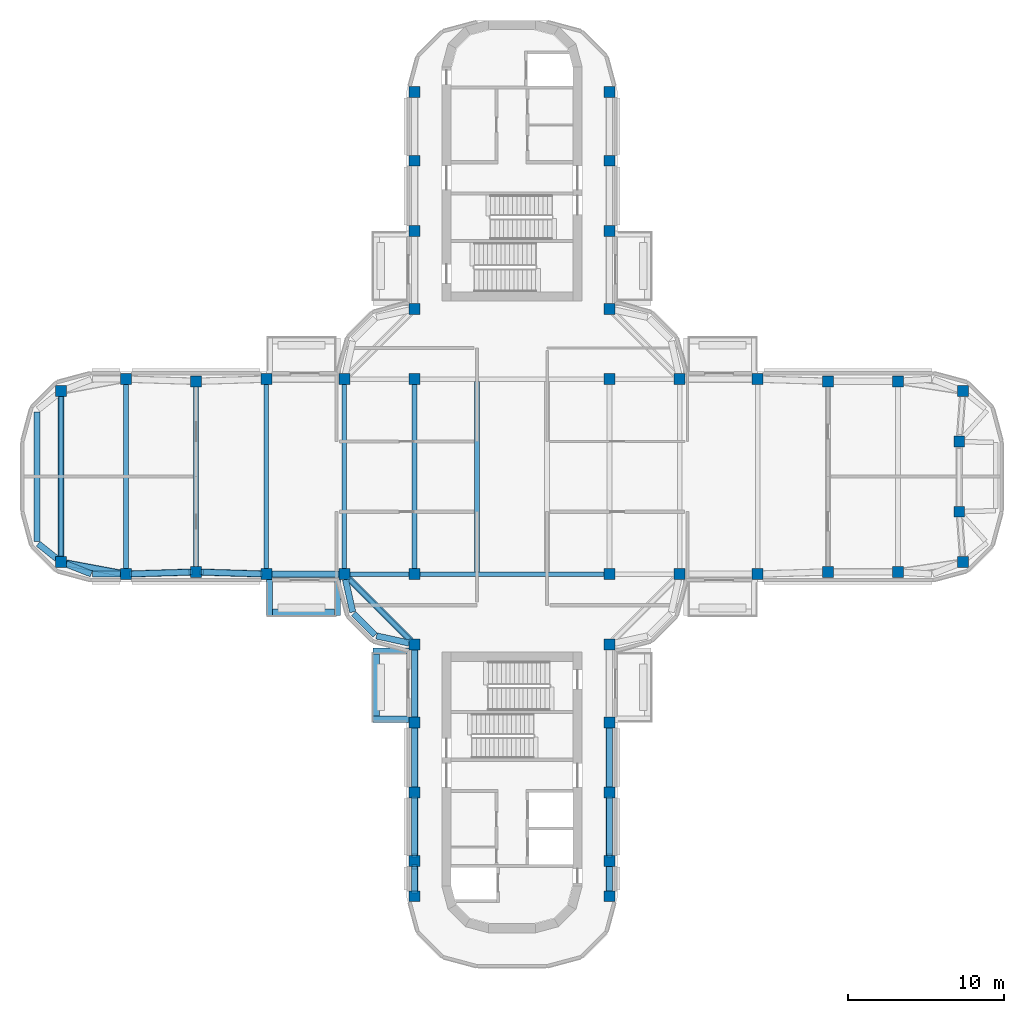
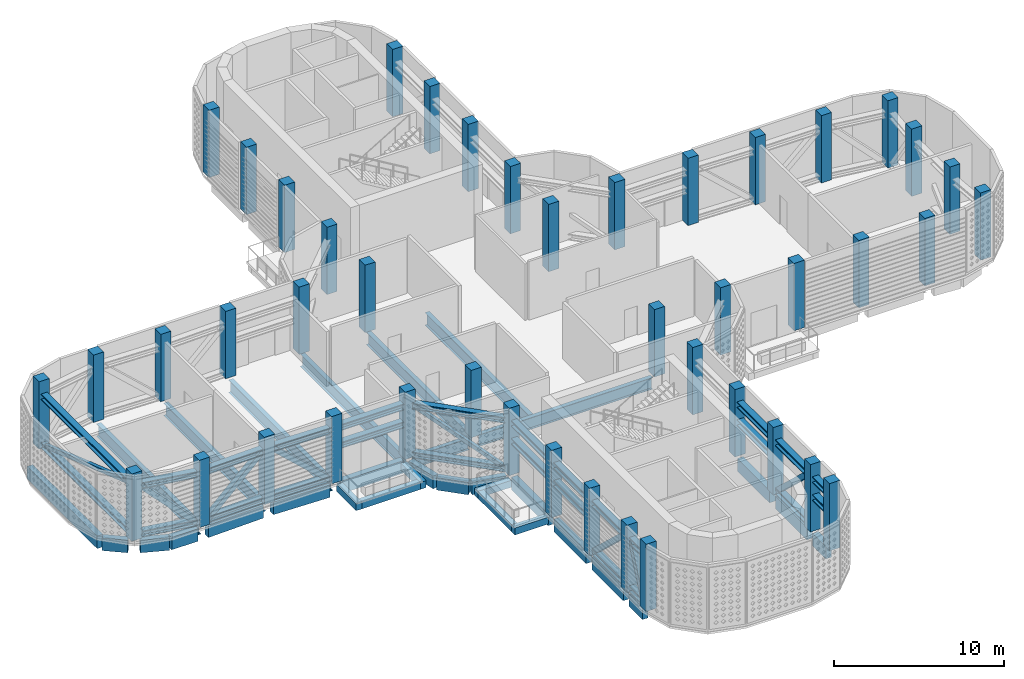
# One storey, part 1 of 20: 44 columns, 34 members, 31 beams.
"""IFC4 building model written with IfcOpenShell, lengths in metres."""

from ifc_helpers import new_model, si_unit, direction, frame, origin, origin_2d, place, context, subcontext, project, spatial, rectangle, hollow_rectangle, i_section, extrude, material, material_profile, profile_set, type_object, element, save


model = new_model("IFC4")

# Units and contexts
model_context = context("Model", 3, precision=1e-05, world=origin(), true_north=direction((0.0, 1.0)))
body_context = subcontext(model_context, "Body", "Model", "MODEL_VIEW")
ifc_project = project(units=[si_unit("LENGTHUNIT", "METRE"), si_unit("AREAUNIT", "SQUARE_METRE"), si_unit("VOLUMEUNIT", "CUBIC_METRE"), si_unit("PLANEANGLEUNIT", "RADIAN"), si_unit("MASSUNIT", "GRAM", prefix="KILO")], contexts=[model_context])

# Site, building, storey
site_placement = place(None, origin())
site = spatial("IfcSite", under=ifc_project, at=site_placement, CompositionType="ELEMENT")
building_placement = place(site_placement, origin())
building = spatial("IfcBuilding", under=site, at=building_placement, Name="Zarbagh Exchange Tower", CompositionType="ELEMENT")
storey_placement = place(building_placement, frame((0.0, 0.0, 244.800048828125)))
storey = spatial("IfcBuildingStorey", under=building, at=storey_placement, Name="L60", CompositionType="ELEMENT", Elevation=244.800048828125)

# Columns
ifc_material_1 = material(Name="Concrete C50/60", Category="concrete")
ifc_material_profile_1 = material_profile(ifc_material_1, rectangle(XDim=0.699951171875, YDim=0.699951171875, at=origin_2d()), Name="RC column 700 x 700 C50/60")
ifc_profile_set_1 = profile_set([ifc_material_profile_1], Name="Concrete C50/60")
column_type = type_object("IfcColumnType", Name="RC column 700 x 700 C50/60", PredefinedType="COLUMN", material=ifc_profile_set_1)
for number, where, z_axis, x_axis, name in (
    (1, (-28.907958984375, -5.47509765625, 0.0), (0.0, 0.0, 1.0), (1.0, 0.0, 0.0), "C5 11/R"),
    (2, (-28.907958984375, 5.47509765625, 0.0), (0.0, 0.0, 1.0), (1.0, 0.0, 0.0), "C5 11/U"),
    (3, (-24.75, -6.25, 0.0), (0.0, 0.0, 1.0), (1.0, 0.0, 0.0), "C5 12/R"),
    (4, (-24.75, 6.25, 0.0), (0.0, 0.0, 1.0), (1.0, 0.0, 0.0), "C5 12/U"),
    (5, (-20.25, -6.110107421875, 0.0), (0.0, 0.0, 1.0), (1.0, 0.0, 0.0), "C5 13/R"),
    (6, (-20.25, 6.110107421875, 0.0), (0.0, 0.0, 1.0), (1.0, 0.0, 0.0), "C5 13/U"),
    (7, (-15.75, -6.25, 0.0), (0.0, 0.0, 1.0), (1.0, 0.0, 0.0), "C5 14/R"),
    (8, (-15.75, 6.25, 0.0), (0.0, 0.0, 1.0), (1.0, 0.0, 0.0), "C5 14/U"),
    (9, (-10.75, -6.25, 0.0), (0.0, 0.0, 1.0), (1.0, 0.0, 0.0), "C5 15/R"),
    (10, (-10.75, 6.25, 0.0), (0.0, 0.0, 1.0), (1.0, 0.0, 0.0), "C5 15/U"),
    (11, (-6.25, -26.89990234375, 0.0), (0.0, 0.0, 1.0), (1.0, 0.0, 0.0), "C5 16/L"),
    (12, (-6.25, -24.64990234375, 0.0), (0.0, 0.0, 1.0), (1.0, 0.0, 0.0), "C5 16/M"),
    (13, (-6.25, -20.25, 0.0), (0.0, 0.0, 1.0), (1.0, 0.0, 0.0), "C5 16/N"),
    (14, (-6.25, -15.75, 0.0), (0.0, 0.0, 1.0), (1.0, 0.0, 0.0), "C5 16/P"),
    (15, (-6.25, -10.75, 0.0), (0.0, 0.0, 1.0), (1.0, 0.0, 0.0), "C5 16/Q"),
    (16, (-6.25, -6.25, 0.0), (0.0, 0.0, 1.0), (1.0, 0.0, 0.0), "C5 16/R"),
    (17, (-6.25, 6.25, 0.0), (0.0, 0.0, 1.0), (1.0, 0.0, 0.0), "C5 16/U"),
    (18, (-6.25, 10.75, 0.0), (0.0, 0.0, 1.0), (1.0, 0.0, 0.0), "C5 16/V"),
    (19, (-6.25, 15.75, 0.0), (0.0, 0.0, 1.0), (1.0, 0.0, 0.0), "C5 16/W"),
    (20, (-6.25, 20.25, 0.0), (0.0, 0.0, 1.0), (1.0, 0.0, 0.0), "C5 16/X"),
    (21, (-6.25, 24.64990234375, 0.0), (0.0, 0.0, 1.0), (1.0, 0.0, 0.0), "C5 16/Y"),
    (22, (6.25, -26.89990234375, 0.0), (0.0, 0.0, 1.0), (1.0, 0.0, 0.0), "C5 19/L"),
    (23, (6.25, -24.64990234375, 0.0), (0.0, 0.0, 1.0), (1.0, 0.0, 0.0), "C5 19/M"),
    (24, (6.25, -20.25, 0.0), (0.0, 0.0, 1.0), (1.0, 0.0, 0.0), "C5 19/N"),
    (25, (6.25, -15.75, 0.0), (0.0, 0.0, 1.0), (1.0, 0.0, 0.0), "C5 19/P"),
    (26, (6.25, -10.75, 0.0), (0.0, 0.0, 1.0), (1.0, 0.0, 0.0), "C5 19/Q"),
    (27, (6.25, -6.25, 0.0), (0.0, 0.0, 1.0), (1.0, 0.0, 0.0), "C5 19/R"),
    (28, (6.25, 6.25, 0.0), (0.0, 0.0, 1.0), (1.0, 0.0, 0.0), "C5 19/U"),
    (29, (6.25, 10.75, 0.0), (0.0, 0.0, 1.0), (1.0, 0.0, 0.0), "C5 19/V"),
    (30, (6.25, 15.75, 0.0), (0.0, 0.0, 1.0), (1.0, 0.0, 0.0), "C5 19/W"),
    (31, (6.25, 20.25, 0.0), (0.0, 0.0, 1.0), (1.0, 0.0, 0.0), "C5 19/X"),
    (32, (6.25, 24.64990234375, 0.0), (0.0, 0.0, 1.0), (1.0, 0.0, 0.0), "C5 19/Y"),
    (33, (10.75, -6.25, 0.0), (0.0, 0.0, 1.0), (1.0, 0.0, 0.0), "C5 20/R"),
    (34, (10.75, 6.25, 0.0), (0.0, 0.0, 1.0), (1.0, 0.0, 0.0), "C5 20/U"),
    (35, (15.75, -6.25, 0.0), (0.0, 0.0, 1.0), (1.0, 0.0, 0.0), "C5 21/R"),
    (36, (15.75, 6.25, 0.0), (0.0, 0.0, 1.0), (1.0, 0.0, 0.0), "C5 21/U"),
    (37, (20.25, -6.110107421875, 0.0), (0.0, 0.0, 1.0), (1.0, 0.0, 0.0), "C5 22/R"),
    (38, (20.25, 6.110107421875, 0.0), (0.0, 0.0, 1.0), (1.0, 0.0, 0.0), "C5 22/U"),
    (39, (24.75, -6.110107421875, 0.0), (0.0, 0.0, 1.0), (1.0, 0.0, 0.0), "C5 23/R"),
    (40, (24.75, 6.110107421875, 0.0), (0.0, 0.0, 1.0), (1.0, 0.0, 0.0), "C5 23/U"),
    (41, (28.907958984375, -5.47509765625, 0.0), (0.0, 0.0, 1.0), (1.0, 0.0, 0.0), "C5 24/R"),
    (42, (28.669921875, -2.25, 0.0), (0.0, 0.0, 1.0), (1.0, 0.0, 0.0), "C5 24/S"),
    (43, (28.669921875, 2.25, 0.0), (0.0, 0.0, 1.0), (1.0, 0.0, 0.0), "C5 24/T"),
    (44, (28.907958984375, 5.47509765625, 0.0), (0.0, 0.0, 1.0), (1.0, 0.0, 0.0), "C5 24/U"),
):
    element("IfcColumn", number, at=place(storey_placement, frame(where, z_axis=z_axis, x_axis=x_axis)), inside=storey, type_object=column_type, Name=name, PredefinedType="COLUMN", context=body_context, shape_type="SweptSolid", body=[
        extrude(rectangle(XDim=0.699951171875, YDim=0.699951171875, at=origin_2d()), origin(), (0.0, 0.0, 1.0), 4.849853515625),
    ])

# Members
ifc_material_2 = material(Name="Steel ASTM A992 Gr 50", Category="steel")
ifc_material_profile_2 = material_profile(ifc_material_2, i_section(OverallWidth=0.408935546875, OverallDepth=0.42431640625, WebThickness=0.03271484375, FlangeThickness=0.052490234375, at=origin_2d()), Name="W14X283")
ifc_profile_set_2 = profile_set([ifc_material_profile_2], Name="Steel ASTM A992 Gr 50")
member_type_1 = type_object("IfcMemberType", Name="Belt truss chord W14X283", PredefinedType="CHORD", material=ifc_profile_set_2)
for number, where, z_axis, x_axis, name in (
    (45, (-6.49755859375, -10.50244140625, 0.212158203125), (-0.707106781187, 0.707106781187, 0.0), (-0.707106781187, -0.707106781187, 0.0), "Belt truss chord"),
    (46, (-6.49755859375, -10.50244140625, 3.7177734375), (-0.707106781187, 0.707106781187, 0.0), (-0.707106781187, -0.707106781187, 0.0), "Belt truss chord"),
):
    element("IfcMember", number, at=place(storey_placement, frame(where, z_axis=z_axis, x_axis=x_axis)), inside=storey, type_object=member_type_1, Name=name, PredefinedType="CHORD", context=body_context, shape_type="SweptSolid", body=[
        extrude(i_section(OverallWidth=0.408935546875, OverallDepth=0.42431640625, WebThickness=0.03271484375, FlangeThickness=0.052490234375, at=origin_2d()), origin(), (0.0, 0.0, 1.0), 5.663818359375),
    ])
for number, where, z_axis, x_axis, name in (
    (47, (-28.907958984375, -5.125, 0.212158203125), (0.0, 1.0, 0.0), (-1.0, 0.0, 0.0), "Belt truss chord"),
    (48, (-28.907958984375, -5.125, 3.7177734375), (0.0, 1.0, 0.0), (-1.0, 0.0, 0.0), "Belt truss chord"),
):
    element("IfcMember", number, at=place(storey_placement, frame(where, z_axis=z_axis, x_axis=x_axis)), inside=storey, type_object=member_type_1, Name=name, PredefinedType="CHORD", context=body_context, shape_type="SweptSolid", body=[
        extrude(i_section(OverallWidth=0.408935546875, OverallDepth=0.42431640625, WebThickness=0.03271484375, FlangeThickness=0.052490234375, at=origin_2d()), origin(), (0.0, 0.0, 1.0), 10.25),
    ])
ifc_material_3 = material(Name="Steel ASTM A500 Gr C", Category="steel")
ifc_material_profile_3 = material_profile(ifc_material_3, hollow_rectangle(XDim=0.25390625, YDim=0.25390625, WallThickness=0.01171875, at=origin_2d()), Name="HSS10X10X1/2")
ifc_profile_set_3 = profile_set([ifc_material_profile_3], Name="Steel ASTM A500 Gr C")
member_type_2 = type_object("IfcMemberType", Name="Belt truss diagonal HSS10X10X1/2", PredefinedType="BRACE", material=ifc_profile_set_3)
member_1_placement = place(storey_placement, frame((-6.49755859375, -10.50244140625, 0.212158203125), z_axis=(-0.6012530335, 0.6012530335, 0.52629799488), x_axis=(-0.707106781187, -0.707106781187, 0.0)))
element("IfcMember", 49, at=member_1_placement, inside=storey, type_object=member_type_2, Name="Belt truss diagonal", PredefinedType="BRACE", context=body_context, shape_type="SweptSolid", body=[
    extrude(hollow_rectangle(XDim=0.25390625, YDim=0.25390625, WallThickness=0.01171875, at=origin_2d()), origin(), (0.0, 0.0, 1.0), 6.660888671875),
])
member_2_placement = place(storey_placement, frame((-28.907958984375, 5.125, 0.212158203125), z_axis=(0.0, -0.946191227137, 0.32360803712), x_axis=(1.0, 0.0, 0.0)))
element("IfcMember", 50, at=member_2_placement, inside=storey, type_object=member_type_2, Name="Belt truss diagonal", PredefinedType="BRACE", context=body_context, shape_type="SweptSolid", body=[
    extrude(hollow_rectangle(XDim=0.25390625, YDim=0.25390625, WallThickness=0.01171875, at=origin_2d()), origin(), (0.0, 0.0, 1.0), 10.8330078125),
])

# Beams
ifc_material_profile_4 = material_profile(ifc_material_2, i_section(OverallWidth=0.3046875, OverallDepth=0.904296875, WebThickness=0.01513671875, FlangeThickness=0.02001953125, at=origin_2d()), Name="W36X135")
ifc_profile_set_4 = profile_set([ifc_material_profile_4], Name="Steel ASTM A992 Gr 50")
beam_type_1 = type_object("IfcBeamType", Name="Floor beam W36X135", PredefinedType="BEAM", material=ifc_profile_set_4)
for number, where, z_axis, x_axis, name in (
    (51, (-10.75, -6.10400390625, -0.60205078125), (0.0, 1.0, 0.0), (-1.0, 0.0, 0.0), "Steel floor beam"),
    (52, (-6.25, -6.10400390625, -0.60205078125), (0.0, 1.0, 0.0), (-1.0, 0.0, 0.0), "Steel floor beam"),
    (53, (-2.25, -6.10400390625, -0.60205078125), (0.0, 1.0, 0.0), (-1.0, 0.0, 0.0), "Steel floor beam"),
):
    element("IfcBeam", number, at=place(storey_placement, frame(where, z_axis=z_axis, x_axis=x_axis)), inside=storey, type_object=beam_type_1, Name=name, PredefinedType="BEAM", context=body_context, shape_type="SweptSolid", body=[
        extrude(i_section(OverallWidth=0.3046875, OverallDepth=0.904296875, WebThickness=0.01513671875, FlangeThickness=0.02001953125, at=origin_2d()), origin(), (0.0, 0.0, 1.0), 12.2080078125),
    ])
beam_1_placement = place(storey_placement, frame((-15.75, -5.89990234375, -0.60205078125), z_axis=(0.0, 1.0, 0.0), x_axis=(-1.0, 0.0, 0.0)))
element("IfcBeam", 54, at=beam_1_placement, inside=storey, type_object=beam_type_1, Name="Steel floor beam", PredefinedType="BEAM", context=body_context, shape_type="SweptSolid", body=[
    extrude(i_section(OverallWidth=0.3046875, OverallDepth=0.904296875, WebThickness=0.01513671875, FlangeThickness=0.02001953125, at=origin_2d()), origin(), (0.0, 0.0, 1.0), 11.7998046875),
])
beam_2_placement = place(storey_placement, frame((-20.25, -5.760009765625, -0.60205078125), z_axis=(0.0, 1.0, 0.0), x_axis=(-1.0, 0.0, 0.0)))
element("IfcBeam", 55, at=beam_2_placement, inside=storey, type_object=beam_type_1, Name="Steel floor beam", PredefinedType="BEAM", context=body_context, shape_type="SweptSolid", body=[
    extrude(i_section(OverallWidth=0.3046875, OverallDepth=0.904296875, WebThickness=0.01513671875, FlangeThickness=0.02001953125, at=origin_2d()), origin(), (0.0, 0.0, 1.0), 11.52001953125),
])
beam_3_placement = place(storey_placement, frame((-24.75, -5.89990234375, -0.60205078125), z_axis=(0.0, 1.0, 0.0), x_axis=(-1.0, 0.0, 0.0)))
element("IfcBeam", 56, at=beam_3_placement, inside=storey, type_object=beam_type_1, Name="Steel floor beam", PredefinedType="BEAM", context=body_context, shape_type="SweptSolid", body=[
    extrude(i_section(OverallWidth=0.3046875, OverallDepth=0.904296875, WebThickness=0.01513671875, FlangeThickness=0.02001953125, at=origin_2d()), origin(), (0.0, 0.0, 1.0), 11.7998046875),
])
ifc_material_profile_5 = material_profile(ifc_material_2, i_section(OverallWidth=0.2919921875, OverallDepth=0.835693359375, WebThickness=0.013916015625, FlangeThickness=0.018798828125, at=origin_2d()), Name="W33X118")
ifc_profile_set_5 = profile_set([ifc_material_profile_5], Name="Steel ASTM A992 Gr 50")
beam_type_2 = type_object("IfcBeamType", Name="Floor girder W33X118", PredefinedType="BEAM", material=ifc_profile_set_5)
beam_4_placement = place(storey_placement, frame((-10.39990234375, -6.25, -0.56787109375), z_axis=(1.0, 0.0, 0.0), x_axis=(0.0, 1.0, 0.0)))
element("IfcBeam", 57, at=beam_4_placement, inside=storey, type_object=beam_type_2, Name="Steel girder", PredefinedType="BEAM", context=body_context, shape_type="SweptSolid", body=[
    extrude(i_section(OverallWidth=0.2919921875, OverallDepth=0.835693359375, WebThickness=0.013916015625, FlangeThickness=0.018798828125, at=origin_2d()), origin(), (0.0, 0.0, 1.0), 3.7998046875),
])
beam_5_placement = place(storey_placement, frame((-5.89990234375, -6.25, -0.56787109375), z_axis=(1.0, 0.0, 0.0), x_axis=(0.0, 1.0, 0.0)))
element("IfcBeam", 58, at=beam_5_placement, inside=storey, type_object=beam_type_2, Name="Steel girder", PredefinedType="BEAM", context=body_context, shape_type="SweptSolid", body=[
    extrude(i_section(OverallWidth=0.2919921875, OverallDepth=0.835693359375, WebThickness=0.013916015625, FlangeThickness=0.018798828125, at=origin_2d()), origin(), (0.0, 0.0, 1.0), 11.7998046875),
])

# Members
ifc_material_profile_6 = material_profile(ifc_material_2, i_section(OverallWidth=0.41650390625, OverallDepth=0.444580078125, WebThickness=0.0390625, FlangeThickness=0.062744140625, at=origin_2d()), Name="W14X342")
ifc_profile_set_6 = profile_set([ifc_material_profile_6], Name="Steel ASTM A992 Gr 50")
member_type_3 = type_object("IfcMemberType", Name="Outrigger truss chord W14X342", PredefinedType="CHORD", material=ifc_profile_set_6)
for number, where, z_axis, x_axis, name in (
    (59, (-6.25, -26.550048828125, 0.22216796875), (0.0, 1.0, 0.0), (-1.0, 0.0, 0.0), "Outrigger truss chord"),
    (60, (-6.25, -26.550048828125, 3.707763671875), (0.0, 1.0, 0.0), (-1.0, 0.0, 0.0), "Outrigger truss chord"),
):
    element("IfcMember", number, at=place(storey_placement, frame(where, z_axis=z_axis, x_axis=x_axis)), inside=storey, type_object=member_type_3, Name=name, PredefinedType="CHORD", context=body_context, shape_type="SweptSolid", body=[
        extrude(i_section(OverallWidth=0.41650390625, OverallDepth=0.444580078125, WebThickness=0.0390625, FlangeThickness=0.062744140625, at=origin_2d()), origin(), (0.0, 0.0, 1.0), 1.550048828125),
    ])
for number, where, z_axis, x_axis, name in (
    (61, (-6.25, -24.300048828125, 0.22216796875), (0.0, 1.0, 0.0), (-1.0, 0.0, 0.0), "Outrigger truss chord"),
    (62, (-6.25, -24.300048828125, 3.707763671875), (0.0, 1.0, 0.0), (-1.0, 0.0, 0.0), "Outrigger truss chord"),
):
    element("IfcMember", number, at=place(storey_placement, frame(where, z_axis=z_axis, x_axis=x_axis)), inside=storey, type_object=member_type_3, Name=name, PredefinedType="CHORD", context=body_context, shape_type="SweptSolid", body=[
        extrude(i_section(OverallWidth=0.41650390625, OverallDepth=0.444580078125, WebThickness=0.0390625, FlangeThickness=0.062744140625, at=origin_2d()), origin(), (0.0, 0.0, 1.0), 3.699951171875),
    ])
for number, where, z_axis, x_axis, name in (
    (63, (-6.25, -19.89990234375, 2.42236328125), (0.0, 1.0, 0.0), (-1.0, 0.0, 0.0), "Outrigger truss chord"),
    (64, (-6.25, -19.89990234375, 3.707763671875), (0.0, 1.0, 0.0), (-1.0, 0.0, 0.0), "Outrigger truss chord"),
):
    element("IfcMember", number, at=place(storey_placement, frame(where, z_axis=z_axis, x_axis=x_axis)), inside=storey, type_object=member_type_3, Name=name, PredefinedType="CHORD", context=body_context, shape_type="SweptSolid", body=[
        extrude(i_section(OverallWidth=0.41650390625, OverallDepth=0.444580078125, WebThickness=0.0390625, FlangeThickness=0.062744140625, at=origin_2d()), origin(), (0.0, 0.0, 1.0), 3.7998046875),
    ])
for number, where, z_axis, x_axis, name in (
    (65, (-6.25, -15.39990234375, 2.42236328125), (0.0, 1.0, 0.0), (-1.0, 0.0, 0.0), "Outrigger truss chord"),
    (66, (-6.25, -15.39990234375, 3.707763671875), (0.0, 1.0, 0.0), (-1.0, 0.0, 0.0), "Outrigger truss chord"),
    (67, (-11.10009765625, -6.25, 2.42236328125), (-1.0, 0.0, 0.0), (0.0, -1.0, 0.0), "Outrigger truss chord"),
    (68, (-11.10009765625, -6.25, 3.707763671875), (-1.0, 0.0, 0.0), (0.0, -1.0, 0.0), "Outrigger truss chord"),
):
    element("IfcMember", number, at=place(storey_placement, frame(where, z_axis=z_axis, x_axis=x_axis)), inside=storey, type_object=member_type_3, Name=name, PredefinedType="CHORD", context=body_context, shape_type="SweptSolid", body=[
        extrude(i_section(OverallWidth=0.41650390625, OverallDepth=0.444580078125, WebThickness=0.0390625, FlangeThickness=0.062744140625, at=origin_2d()), origin(), (0.0, 0.0, 1.0), 4.2998046875),
    ])
for number, where, z_axis, x_axis, name in (
    (69, (-16.099853515625, -6.239013671875, 0.22216796875), (-0.999516950199, 0.031078389046, 0.0), (-0.031078389046, -0.999516950199, 0.0), "Outrigger truss chord"),
    (70, (-16.099853515625, -6.239013671875, 3.707763671875), (-0.999516950199, 0.031078389046, 0.0), (-0.031078389046, -0.999516950199, 0.0), "Outrigger truss chord"),
    (71, (-20.599853515625, -6.120849609375, 0.22216796875), (-0.999516950199, -0.031078389046, 0.0), (0.031078389046, -0.999516950199, 0.0), "Outrigger truss chord"),
    (72, (-20.599853515625, -6.120849609375, 3.707763671875), (-0.999516950199, -0.031078389046, 0.0), (0.031078389046, -0.999516950199, 0.0), "Outrigger truss chord"),
):
    element("IfcMember", number, at=place(storey_placement, frame(where, z_axis=z_axis, x_axis=x_axis)), inside=storey, type_object=member_type_3, Name=name, PredefinedType="CHORD", context=body_context, shape_type="SweptSolid", body=[
        extrude(i_section(OverallWidth=0.41650390625, OverallDepth=0.444580078125, WebThickness=0.0390625, FlangeThickness=0.062744140625, at=origin_2d()), origin(), (0.0, 0.0, 1.0), 3.80224609375),
    ])
for number, where, z_axis, x_axis, name in (
    (73, (-25.093994140625, -6.185791015625, 0.22216796875), (-0.983071280953, 0.18322351532, 0.0), (-0.18322351532, -0.983071280953, 0.0), "Outrigger truss chord"),
    (74, (-25.093994140625, -6.185791015625, 3.707763671875), (-0.983071280953, 0.18322351532, 0.0), (-0.18322351532, -0.983071280953, 0.0), "Outrigger truss chord"),
):
    element("IfcMember", number, at=place(storey_placement, frame(where, z_axis=z_axis, x_axis=x_axis)), inside=storey, type_object=member_type_3, Name=name, PredefinedType="CHORD", context=body_context, shape_type="SweptSolid", body=[
        extrude(i_section(OverallWidth=0.41650390625, OverallDepth=0.444580078125, WebThickness=0.0390625, FlangeThickness=0.062744140625, at=origin_2d()), origin(), (0.0, 0.0, 1.0), 3.52978515625),
    ])
for number, where, z_axis, x_axis, name in (
    (75, (6.25, -16.10009765625, 2.42236328125), (0.0, -1.0, 0.0), (1.0, 0.0, 0.0), "Outrigger truss chord"),
    (76, (6.25, -16.10009765625, 3.707763671875), (0.0, -1.0, 0.0), (1.0, 0.0, 0.0), "Outrigger truss chord"),
):
    element("IfcMember", number, at=place(storey_placement, frame(where, z_axis=z_axis, x_axis=x_axis)), inside=storey, type_object=member_type_3, Name=name, PredefinedType="CHORD", context=body_context, shape_type="SweptSolid", body=[
        extrude(i_section(OverallWidth=0.41650390625, OverallDepth=0.444580078125, WebThickness=0.0390625, FlangeThickness=0.062744140625, at=origin_2d()), origin(), (0.0, 0.0, 1.0), 3.7998046875),
    ])
for number, where, z_axis, x_axis, name in (
    (77, (6.25, -20.60009765625, 0.22216796875), (0.0, -1.0, 0.0), (1.0, 0.0, 0.0), "Outrigger truss chord"),
    (78, (6.25, -20.60009765625, 3.707763671875), (0.0, -1.0, 0.0), (1.0, 0.0, 0.0), "Outrigger truss chord"),
):
    element("IfcMember", number, at=place(storey_placement, frame(where, z_axis=z_axis, x_axis=x_axis)), inside=storey, type_object=member_type_3, Name=name, PredefinedType="CHORD", context=body_context, shape_type="SweptSolid", body=[
        extrude(i_section(OverallWidth=0.41650390625, OverallDepth=0.444580078125, WebThickness=0.0390625, FlangeThickness=0.062744140625, at=origin_2d()), origin(), (0.0, 0.0, 1.0), 3.699951171875),
    ])
for number, where, z_axis, x_axis, name in (
    (79, (6.25, -25.0, 2.42236328125), (0.0, -1.0, 0.0), (1.0, 0.0, 0.0), "Outrigger truss chord"),
    (80, (6.25, -25.0, 3.707763671875), (0.0, -1.0, 0.0), (1.0, 0.0, 0.0), "Outrigger truss chord"),
):
    element("IfcMember", number, at=place(storey_placement, frame(where, z_axis=z_axis, x_axis=x_axis)), inside=storey, type_object=member_type_3, Name=name, PredefinedType="CHORD", context=body_context, shape_type="SweptSolid", body=[
        extrude(i_section(OverallWidth=0.41650390625, OverallDepth=0.444580078125, WebThickness=0.0390625, FlangeThickness=0.062744140625, at=origin_2d()), origin(), (0.0, 0.0, 1.0), 1.550048828125),
    ])
ifc_material_profile_7 = material_profile(ifc_material_3, hollow_rectangle(XDim=0.355712890625, YDim=0.355712890625, WallThickness=0.014892578125, at=origin_2d()), Name="HSS14X14X5/8")
ifc_profile_set_7 = profile_set([ifc_material_profile_7], Name="Steel ASTM A500 Gr C")
member_type_4 = type_object("IfcMemberType", Name="Outrigger truss diagonal HSS14X14X5/8", PredefinedType="BRACE", material=ifc_profile_set_7)
member_3_placement = place(storey_placement, frame((-6.25, -26.550048828125, 0.22216796875), z_axis=(0.0, 0.406334414714, 0.913724435166), x_axis=(-1.0, 0.0, 0.0)))
element("IfcMember", 81, at=member_3_placement, inside=storey, type_object=member_type_4, Name="Outrigger truss diagonal", PredefinedType="BRACE", context=body_context, shape_type="SweptSolid", body=[
    extrude(hollow_rectangle(XDim=0.355712890625, YDim=0.355712890625, WallThickness=0.014892578125, at=origin_2d()), origin(), (0.0, 0.0, 1.0), 3.814697265625),
])
member_4_placement = place(storey_placement, frame((-6.25, -20.60009765625, 0.22216796875), z_axis=(0.0, -0.727877017093, 0.68570769865), x_axis=(1.0, 0.0, 0.0)))
element("IfcMember", 82, at=member_4_placement, inside=storey, type_object=member_type_4, Name="Outrigger truss diagonal", PredefinedType="BRACE", context=body_context, shape_type="SweptSolid", body=[
    extrude(hollow_rectangle(XDim=0.355712890625, YDim=0.355712890625, WallThickness=0.014892578125, at=origin_2d()), origin(), (0.0, 0.0, 1.0), 5.083251953125),
])
for number, where, z_axis, x_axis, name in (
    (83, (-16.099853515625, -6.239013671875, 0.22216796875), (-0.736768111105, 0.022908632004, 0.675757312235), (-0.031078389046, -0.999516950199, 0.0), "Outrigger truss diagonal"),
    (84, (-24.400146484375, -6.239013671875, 0.22216796875), (0.736768111105, 0.022908632004, 0.675757312235), (-0.031078389046, 0.999516950199, 0.0), "Outrigger truss diagonal"),
):
    element("IfcMember", number, at=place(storey_placement, frame(where, z_axis=z_axis, x_axis=x_axis)), inside=storey, type_object=member_type_4, Name=name, PredefinedType="BRACE", context=body_context, shape_type="SweptSolid", body=[
        extrude(hollow_rectangle(XDim=0.355712890625, YDim=0.355712890625, WallThickness=0.014892578125, at=origin_2d()), origin(), (0.0, 0.0, 1.0), 5.157958984375),
    ])
member_5_placement = place(storey_placement, frame((-25.093994140625, -6.185791015625, 0.22216796875), z_axis=(-0.699495170927, 0.130370977822, 0.702644941625), x_axis=(-0.18322351532, -0.983071280953, 0.0)))
element("IfcMember", 85, at=member_5_placement, inside=storey, type_object=member_type_4, Name="Outrigger truss diagonal", PredefinedType="BRACE", context=body_context, shape_type="SweptSolid", body=[
    extrude(hollow_rectangle(XDim=0.355712890625, YDim=0.355712890625, WallThickness=0.014892578125, at=origin_2d()), origin(), (0.0, 0.0, 1.0), 4.960693359375),
])
member_6_placement = place(storey_placement, frame((6.25, -20.60009765625, 0.22216796875), z_axis=(0.0, -0.727877017093, 0.68570769865), x_axis=(1.0, 0.0, 0.0)))
element("IfcMember", 86, at=member_6_placement, inside=storey, type_object=member_type_4, Name="Outrigger truss diagonal", PredefinedType="BRACE", context=body_context, shape_type="SweptSolid", body=[
    extrude(hollow_rectangle(XDim=0.355712890625, YDim=0.355712890625, WallThickness=0.014892578125, at=origin_2d()), origin(), (0.0, 0.0, 1.0), 5.083251953125),
])

# Beams
ifc_material_4 = material(Name="Concrete C40/50", Category="concrete")
ifc_material_profile_8 = material_profile(ifc_material_4, rectangle(XDim=0.39990234375, YDim=0.5, at=origin_2d()), Name="RC bay edge beam 400 x 500 C40/50")
ifc_profile_set_8 = profile_set([ifc_material_profile_8], Name="Concrete C40/50")
beam_type_3 = type_object("IfcBeamType", Name="RC bay edge beam 400 x 500 C40/50", PredefinedType="BEAM", material=ifc_profile_set_8)
for number, where, z_axis, x_axis, name in (
    (87, (-8.699951171875, -15.35009765625, -0.400146484375), (0.0, 1.0, 0.0), (-1.0, 0.0, 0.0), "RC bay edge beam"),
    (88, (-15.35009765625, -8.699951171875, -0.400146484375), (1.0, 0.0, 0.0), (0.0, 1.0, 0.0), "RC bay edge beam"),
):
    element("IfcBeam", number, at=place(storey_placement, frame(where, z_axis=z_axis, x_axis=x_axis)), inside=storey, type_object=beam_type_3, Name=name, PredefinedType="BEAM", context=body_context, shape_type="SweptSolid", body=[
        extrude(rectangle(XDim=0.39990234375, YDim=0.5, at=origin_2d()), origin(), (0.0, 0.0, 1.0), 3.97021484375),
    ])
ifc_material_profile_9 = material_profile(ifc_material_4, rectangle(XDim=0.39990234375, YDim=0.5, at=origin_2d()), Name="RC cantilever beam 400 x 500 C40/50")
ifc_profile_set_9 = profile_set([ifc_material_profile_9], Name="Concrete C40/50")
beam_type_4 = type_object("IfcBeamType", Name="RC cantilever beam 400 x 500 C40/50", PredefinedType="BEAM", material=ifc_profile_set_9)
for number, where, z_axis, x_axis, name in (
    (89, (-6.60009765625, -15.550048828125, -0.400146484375), (-1.0, 0.0, 0.0), (0.0, -1.0, 0.0), "RC cantilever beam"),
    (90, (-6.60009765625, -11.179931640625, -0.400146484375), (-1.0, 0.0, 0.0), (0.0, -1.0, 0.0), "RC cantilever beam"),
    (91, (-15.550048828125, -6.60009765625, -0.400146484375), (0.0, -1.0, 0.0), (1.0, 0.0, 0.0), "RC cantilever beam"),
    (92, (-11.179931640625, -6.60009765625, -0.400146484375), (0.0, -1.0, 0.0), (1.0, 0.0, 0.0), "RC cantilever beam"),
):
    element("IfcBeam", number, at=place(storey_placement, frame(where, z_axis=z_axis, x_axis=x_axis)), inside=storey, type_object=beam_type_4, Name=name, PredefinedType="BEAM", context=body_context, shape_type="SweptSolid", body=[
        extrude(rectangle(XDim=0.39990234375, YDim=0.5, at=origin_2d()), origin(), (0.0, 0.0, 1.0), 2.2998046875),
    ])
ifc_material_profile_10 = material_profile(ifc_material_1, rectangle(XDim=0.39990234375, YDim=0.89990234375, at=origin_2d()), Name="RC spandrel beam 400 x 900 C50/60")
ifc_profile_set_10 = profile_set([ifc_material_profile_10], Name="Concrete C50/60")
beam_type_5 = type_object("IfcBeamType", Name="RC spandrel beam 400 x 900 C50/60", PredefinedType="SPANDREL", material=ifc_profile_set_10)
beam_6_placement = place(storey_placement, frame((-6.25, -26.550048828125, -0.60009765625), z_axis=(0.0, 1.0, 0.0), x_axis=(-1.0, 0.0, 0.0)))
element("IfcBeam", 93, at=beam_6_placement, inside=storey, type_object=beam_type_5, Name="RC spandrel beam", PredefinedType="SPANDREL", context=body_context, shape_type="SweptSolid", body=[
    extrude(rectangle(XDim=0.39990234375, YDim=0.89990234375, at=origin_2d()), origin(), (0.0, 0.0, 1.0), 1.550048828125),
])
beam_7_placement = place(storey_placement, frame((-6.25, -24.300048828125, -0.60009765625), z_axis=(0.0, 1.0, 0.0), x_axis=(-1.0, 0.0, 0.0)))
element("IfcBeam", 94, at=beam_7_placement, inside=storey, type_object=beam_type_5, Name="RC spandrel beam", PredefinedType="SPANDREL", context=body_context, shape_type="SweptSolid", body=[
    extrude(rectangle(XDim=0.39990234375, YDim=0.89990234375, at=origin_2d()), origin(), (0.0, 0.0, 1.0), 3.699951171875),
])
beam_8_placement = place(storey_placement, frame((-6.25, -19.89990234375, -0.60009765625), z_axis=(0.0, 1.0, 0.0), x_axis=(-1.0, 0.0, 0.0)))
element("IfcBeam", 95, at=beam_8_placement, inside=storey, type_object=beam_type_5, Name="RC spandrel beam", PredefinedType="SPANDREL", context=body_context, shape_type="SweptSolid", body=[
    extrude(rectangle(XDim=0.39990234375, YDim=0.89990234375, at=origin_2d()), origin(), (0.0, 0.0, 1.0), 3.7998046875),
])
beam_9_placement = place(storey_placement, frame((-6.25, -15.39990234375, -0.60009765625), z_axis=(0.0, 1.0, 0.0), x_axis=(-1.0, 0.0, 0.0)))
element("IfcBeam", 96, at=beam_9_placement, inside=storey, type_object=beam_type_5, Name="RC spandrel beam", PredefinedType="SPANDREL", context=body_context, shape_type="SweptSolid", body=[
    extrude(rectangle(XDim=0.39990234375, YDim=0.89990234375, at=origin_2d()), origin(), (0.0, 0.0, 1.0), 4.2998046875),
])
beam_10_placement = place(storey_placement, frame((-6.591796875, -10.67431640625, -0.60009765625), z_axis=(-0.97639036545, 0.216013551096, 0.0), x_axis=(-0.216013551096, -0.97639036545, 0.0)))
element("IfcBeam", 97, at=beam_10_placement, inside=storey, type_object=beam_type_5, Name="RC spandrel beam", PredefinedType="SPANDREL", context=body_context, shape_type="SweptSolid", body=[
    extrude(rectangle(XDim=0.39990234375, YDim=0.89990234375, at=origin_2d()), origin(), (0.0, 0.0, 1.0), 2.142822265625),
])
beam_11_placement = place(storey_placement, frame((-8.782470703125, -10.15771484375, -0.60009765625), z_axis=(-0.707106781187, 0.707106781187, 0.0), x_axis=(-0.707106781187, -0.707106781187, 0.0)))
element("IfcBeam", 98, at=beam_11_placement, inside=storey, type_object=beam_type_5, Name="RC spandrel beam", PredefinedType="SPANDREL", context=body_context, shape_type="SweptSolid", body=[
    extrude(rectangle(XDim=0.39990234375, YDim=0.89990234375, at=origin_2d()), origin(), (0.0, 0.0, 1.0), 1.94482421875),
])
beam_12_placement = place(storey_placement, frame((-10.21142578125, -8.68408203125, -0.60009765625), z_axis=(-0.216013551096, 0.97639036545, 0.0), x_axis=(-0.97639036545, -0.216013551096, 0.0)))
element("IfcBeam", 99, at=beam_12_placement, inside=storey, type_object=beam_type_5, Name="RC spandrel beam", PredefinedType="SPANDREL", context=body_context, shape_type="SweptSolid", body=[
    extrude(rectangle(XDim=0.39990234375, YDim=0.89990234375, at=origin_2d()), origin(), (0.0, 0.0, 1.0), 2.142822265625),
])
beam_13_placement = place(storey_placement, frame((-11.10009765625, -6.25, -0.60009765625), z_axis=(-1.0, 0.0, 0.0), x_axis=(0.0, -1.0, 0.0)))
element("IfcBeam", 100, at=beam_13_placement, inside=storey, type_object=beam_type_5, Name="RC spandrel beam", PredefinedType="SPANDREL", context=body_context, shape_type="SweptSolid", body=[
    extrude(rectangle(XDim=0.39990234375, YDim=0.89990234375, at=origin_2d()), origin(), (0.0, 0.0, 1.0), 4.2998046875),
])
for number, where, z_axis, x_axis, name in (
    (101, (-16.099853515625, -6.239013671875, -0.60009765625), (-0.999516950199, 0.031078389046, 0.0), (-0.031078389046, -0.999516950199, 0.0), "RC spandrel beam"),
    (102, (-20.599853515625, -6.120849609375, -0.60009765625), (-0.999516950199, -0.031078389046, 0.0), (0.031078389046, -0.999516950199, 0.0), "RC spandrel beam"),
):
    element("IfcBeam", number, at=place(storey_placement, frame(where, z_axis=z_axis, x_axis=x_axis)), inside=storey, type_object=beam_type_5, Name=name, PredefinedType="SPANDREL", context=body_context, shape_type="SweptSolid", body=[
        extrude(rectangle(XDim=0.39990234375, YDim=0.89990234375, at=origin_2d()), origin(), (0.0, 0.0, 1.0), 3.80224609375),
    ])
beam_14_placement = place(storey_placement, frame((-25.10009765625, -6.25, -0.60009765625), z_axis=(-1.0, 0.0, 0.0), x_axis=(0.0, -1.0, 0.0)))
element("IfcBeam", 103, at=beam_14_placement, inside=storey, type_object=beam_type_5, Name="RC spandrel beam", PredefinedType="SPANDREL", context=body_context, shape_type="SweptSolid", body=[
    extrude(rectangle(XDim=0.39990234375, YDim=0.89990234375, at=origin_2d()), origin(), (0.0, 0.0, 1.0), 1.796142578125),
])
beam_15_placement = place(storey_placement, frame((-26.969482421875, -6.236083984375, -0.60009765625), z_axis=(-0.930809711446, 0.365504146457, 0.0), x_axis=(-0.365504146457, -0.930809711446, 0.0)))
element("IfcBeam", 104, at=beam_15_placement, inside=storey, type_object=beam_type_5, Name="RC spandrel beam", PredefinedType="SPANDREL", context=body_context, shape_type="SweptSolid", body=[
    extrude(rectangle(XDim=0.39990234375, YDim=0.89990234375, at=origin_2d()), origin(), (0.0, 0.0, 1.0), 1.732666015625),
])
beam_16_placement = place(storey_placement, frame((-29.18115234375, -5.256103515625, -0.60009765625), z_axis=(-0.780634897504, 0.62498732531, 0.0), x_axis=(-0.62498732531, -0.780634897504, 0.0)))
element("IfcBeam", 105, at=beam_16_placement, inside=storey, type_object=beam_type_5, Name="RC spandrel beam", PredefinedType="SPANDREL", context=body_context, shape_type="SweptSolid", body=[
    extrude(rectangle(XDim=0.39990234375, YDim=0.89990234375, at=origin_2d()), origin(), (0.0, 0.0, 1.0), 1.52783203125),
])
beam_17_placement = place(storey_placement, frame((-30.44873046875, -4.14501953125, -0.60009765625), z_axis=(0.0, 1.0, 0.0), x_axis=(-1.0, 0.0, 0.0)))
element("IfcBeam", 106, at=beam_17_placement, inside=storey, type_object=beam_type_5, Name="RC spandrel beam", PredefinedType="SPANDREL", context=body_context, shape_type="SweptSolid", body=[
    extrude(rectangle(XDim=0.39990234375, YDim=0.89990234375, at=origin_2d()), origin(), (0.0, 0.0, 1.0), 8.2900390625),
])
beam_18_placement = place(storey_placement, frame((6.25, -16.10009765625, -0.60009765625), z_axis=(0.0, -1.0, 0.0), x_axis=(1.0, 0.0, 0.0)))
element("IfcBeam", 107, at=beam_18_placement, inside=storey, type_object=beam_type_5, Name="RC spandrel beam", PredefinedType="SPANDREL", context=body_context, shape_type="SweptSolid", body=[
    extrude(rectangle(XDim=0.39990234375, YDim=0.89990234375, at=origin_2d()), origin(), (0.0, 0.0, 1.0), 3.7998046875),
])
beam_19_placement = place(storey_placement, frame((6.25, -20.60009765625, -0.60009765625), z_axis=(0.0, -1.0, 0.0), x_axis=(1.0, 0.0, 0.0)))
element("IfcBeam", 108, at=beam_19_placement, inside=storey, type_object=beam_type_5, Name="RC spandrel beam", PredefinedType="SPANDREL", context=body_context, shape_type="SweptSolid", body=[
    extrude(rectangle(XDim=0.39990234375, YDim=0.89990234375, at=origin_2d()), origin(), (0.0, 0.0, 1.0), 3.699951171875),
])
beam_20_placement = place(storey_placement, frame((6.25, -25.0, -0.60009765625), z_axis=(0.0, -1.0, 0.0), x_axis=(1.0, 0.0, 0.0)))
element("IfcBeam", 109, at=beam_20_placement, inside=storey, type_object=beam_type_5, Name="RC spandrel beam", PredefinedType="SPANDREL", context=body_context, shape_type="SweptSolid", body=[
    extrude(rectangle(XDim=0.39990234375, YDim=0.89990234375, at=origin_2d()), origin(), (0.0, 0.0, 1.0), 1.550048828125),
])

save(model, "model.ifc")
